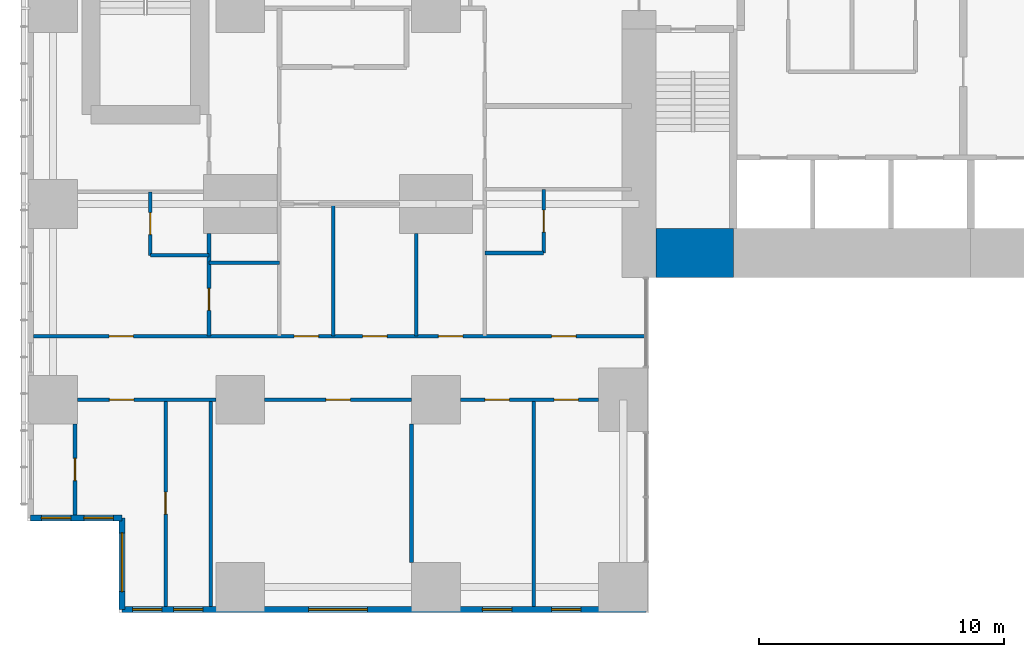
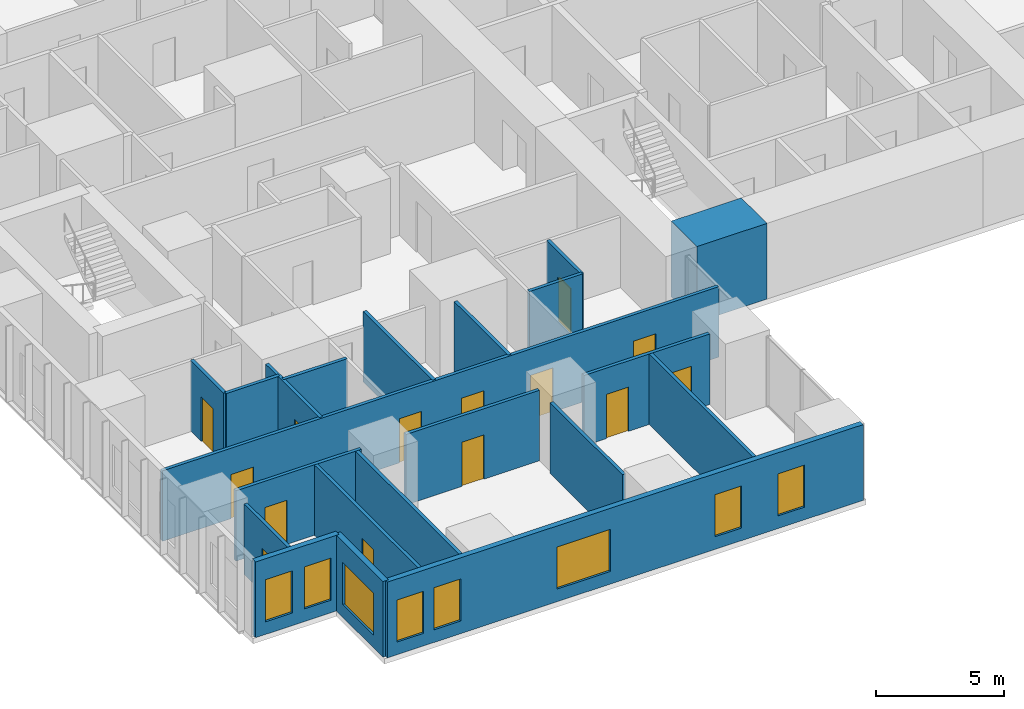
# One storey, part 12 of 20: 21 walls, 14 doors, 8 windows, 22 openings.
"""IFC4 building model written with IfcOpenShell, lengths in metres."""

from ifc_helpers import new_model, si_unit, direction, frame, frame_2d, origin, place, context, subcontext, project, spatial, rectangle, extrude, material, layer, layer_set, type_object, element, fill, save


model = new_model("IFC4")

# Units and contexts
model_context = context("Model", 3, precision=1e-05, world=origin(), true_north=direction((0.0, 1.0)))
body_context = subcontext(model_context, "Body", "Model", "MODEL_VIEW")
ifc_project = project(units=[si_unit("LENGTHUNIT", "METRE"), si_unit("AREAUNIT", "SQUARE_METRE"), si_unit("VOLUMEUNIT", "CUBIC_METRE"), si_unit("PLANEANGLEUNIT", "RADIAN"), si_unit("MASSUNIT", "GRAM", prefix="KILO")], contexts=[model_context])

# Site, building, storey
site_placement = place(None, origin())
site = spatial("IfcSite", under=ifc_project, at=site_placement, CompositionType="ELEMENT")
building_placement = place(site_placement, origin())
building = spatial("IfcBuilding", under=site, at=building_placement, Name="Cleftline Residences", CompositionType="ELEMENT")
storey_placement = place(building_placement, frame((0.0, 0.0, 83.60009765625)))
storey = spatial("IfcBuildingStorey", under=building, at=storey_placement, Name="L21", CompositionType="ELEMENT", Elevation=83.60009765625)

# Wall
ifc_material_1 = material(Name="Concrete B70", Category="concrete")
ifc_layer_1 = layer(ifc_material_1, 2.0)
ifc_layer_set_1 = layer_set([ifc_layer_1], Name="CORE WALL 2000")
wall_type_1 = type_object("IfcWallType", Name="CORE WALL 2000", PredefinedType="SHEAR", material=ifc_layer_set_1)
wall_1_placement = place(storey_placement, frame((25.0, 14.0, 0.0), z_axis=(0.0, 0.0, 1.0), x_axis=(1.0, 0.0, 0.0)))
element("IfcWall", 1, at=wall_1_placement, inside=storey, type_object=wall_type_1, Name="Core wall S1", PredefinedType="SHEAR", context=body_context, shape_type="SweptSolid", body=[
    extrude(rectangle(XDim=3.14990234375, YDim=2.0, at=frame_2d((1.574951171875, 0.0))), origin(), (0.0, 0.0, 1.0), 3.599853515625),
])

# Wall, openings, windows
ifc_material_2 = material(Name="Rendered reinforced concrete blockwork", Category="masonry")
ifc_layer_2 = layer(ifc_material_2, 0.25)
ifc_layer_set_2 = layer_set([ifc_layer_2], Name="EXTERNAL WALL 250")
wall_type_2 = type_object("IfcWallType", Name="EXTERNAL WALL 250", PredefinedType="SOLIDWALL", material=ifc_layer_set_2)
wall_2_placement = place(storey_placement, frame((-0.574951171875, 3.175048828125, 0.0), z_axis=(0.0, 0.0, 1.0), x_axis=(1.0, 0.0, 0.0)))
wall_2 = element("IfcWall", 2, at=wall_2_placement, inside=storey, type_object=wall_type_2, Name="External wall", PredefinedType="SOLIDWALL", context=body_context, shape_type="SweptSolid", body=[
    extrude(rectangle(XDim=3.75, YDim=0.25, at=frame_2d((1.875, 0.0))), origin(), (0.0, 0.0, 1.0), 3.599853515625),
])
opening_1_placement = place(wall_2_placement, frame((0.449951171875, 0.0, 0.60009765625)))
opening_1 = element("IfcOpeningElement", 3, at=opening_1_placement, cuts=wall_2, Name="Opening W8", PredefinedType="OPENING", context=body_context, shape_type="SweptSolid", body=[
    extrude(rectangle(XDim=1.199951171875, YDim=2.0, at=frame_2d((0.60009765625, 1.0))), frame((0.0, 0.135009765625, 0.0), z_axis=(0.0, -1.0, 0.0), x_axis=(1.0, 0.0, 0.0)), (0.0, 0.0, 1.0), 0.27001953125),
])
opening_2_placement = place(wall_2_placement, frame((2.1875, 0.0, 0.60009765625)))
opening_2 = element("IfcOpeningElement", 4, at=opening_2_placement, cuts=wall_2, Name="Opening W8", PredefinedType="OPENING", context=body_context, shape_type="SweptSolid", body=[
    extrude(rectangle(XDim=1.199951171875, YDim=2.0, at=frame_2d((0.60009765625, 1.0))), frame((0.0, 0.135009765625, 0.0), z_axis=(0.0, -1.0, 0.0), x_axis=(1.0, 0.0, 0.0)), (0.0, 0.0, 1.0), 0.27001953125),
])
ifc_material_3 = material(Name="Aluminium frame, clear double glazing", Category="aluminium")
window_type_1 = type_object("IfcWindowType", Name="WINDOW 1200X2000", PartitioningType="DOUBLE_PANEL_VERTICAL", PredefinedType="WINDOW", material=ifc_material_3)
window_1_placement = place(opening_1_placement, origin())
window_1 = element("IfcWindow", 5, at=window_1_placement, inside=storey, type_object=window_type_1, Name="Window", OverallHeight=2.0, OverallWidth=1.199951171875, PartitioningType="SINGLE_PANEL", PredefinedType="WINDOW", context=body_context, shape_type="SweptSolid", body=[
    extrude(rectangle(XDim=1.199951171875, YDim=2.0, at=frame_2d((0.60009765625, 1.0))), frame((0.0, 0.030029296875, 0.0), z_axis=(0.0, -1.0, 0.0), x_axis=(1.0, 0.0, 0.0)), (0.0, 0.0, 1.0), 0.06005859375),
])
fill(opening_1, window_1)
window_2_placement = place(opening_2_placement, origin())
window_2 = element("IfcWindow", 6, at=window_2_placement, inside=storey, type_object=window_type_1, Name="Window", OverallHeight=2.0, OverallWidth=1.199951171875, PartitioningType="SINGLE_PANEL", PredefinedType="WINDOW", context=body_context, shape_type="SweptSolid", body=[
    extrude(rectangle(XDim=1.199951171875, YDim=2.0, at=frame_2d((0.60009765625, 1.0))), frame((0.0, 0.030029296875, 0.0), z_axis=(0.0, -1.0, 0.0), x_axis=(1.0, 0.0, 0.0)), (0.0, 0.0, 1.0), 0.06005859375),
])
fill(opening_2, window_2)

# Wall, opening, window
wall_3_placement = place(storey_placement, frame((3.175048828125, 3.175048828125, 0.0), z_axis=(0.0, 0.0, 1.0), x_axis=(0.0, -1.0, 0.0)))
wall_3 = element("IfcWall", 7, at=wall_3_placement, inside=storey, type_object=wall_type_2, Name="External wall", PredefinedType="SOLIDWALL", context=body_context, shape_type="SweptSolid", body=[
    extrude(rectangle(XDim=3.75, YDim=0.25, at=frame_2d((1.875, 0.0))), origin(), (0.0, 0.0, 1.0), 3.599853515625),
])
opening_3_placement = place(wall_3_placement, frame((0.612548828125, 0.0, 0.60009765625)))
opening_3 = element("IfcOpeningElement", 8, at=opening_3_placement, cuts=wall_3, Name="Opening W6", PredefinedType="OPENING", context=body_context, shape_type="SweptSolid", body=[
    extrude(rectangle(XDim=2.39990234375, YDim=2.0, at=frame_2d((1.199951171875, 1.0))), frame((0.0, 0.135009765625, 0.0), z_axis=(0.0, -1.0, 0.0), x_axis=(1.0, 0.0, 0.0)), (0.0, 0.0, 1.0), 0.27001953125),
])
ifc_material_4 = material(Name="Aluminium frame, clear double glazing", Category="aluminium")
window_type_2 = type_object("IfcWindowType", Name="WINDOW 2400X2000", PartitioningType="DOUBLE_PANEL_VERTICAL", PredefinedType="WINDOW", material=ifc_material_4)
window_3_placement = place(opening_3_placement, origin())
window_3 = element("IfcWindow", 9, at=window_3_placement, inside=storey, type_object=window_type_2, Name="Window", OverallHeight=2.0, OverallWidth=2.39990234375, PartitioningType="SINGLE_PANEL", PredefinedType="WINDOW", context=body_context, shape_type="SweptSolid", body=[
    extrude(rectangle(XDim=2.39990234375, YDim=2.0, at=frame_2d((1.199951171875, 1.0))), frame((0.0, 0.030029296875, 0.0), z_axis=(0.0, -1.0, 0.0), x_axis=(1.0, 0.0, 0.0)), (0.0, 0.0, 1.0), 0.06005859375),
])
fill(opening_3, window_3)

# Wall, openings, windows
wall_4_placement = place(storey_placement, frame((3.175048828125, -0.574951171875, 0.0), z_axis=(0.0, 0.0, 1.0), x_axis=(1.0, 0.0, 0.0)))
wall_4 = element("IfcWall", 10, at=wall_4_placement, inside=storey, type_object=wall_type_2, Name="External wall", PredefinedType="SOLIDWALL", context=body_context, shape_type="SweptSolid", body=[
    extrude(rectangle(XDim=21.39990234375, YDim=0.25, at=frame_2d((10.699951171875, 0.0))), origin(), (0.0, 0.0, 1.0), 3.599853515625),
])
opening_4_placement = place(wall_4_placement, frame((0.425048828125, 0.0, 0.60009765625)))
opening_4 = element("IfcOpeningElement", 11, at=opening_4_placement, cuts=wall_4, Name="Opening W8", PredefinedType="OPENING", context=body_context, shape_type="SweptSolid", body=[
    extrude(rectangle(XDim=1.199951171875, YDim=2.0, at=frame_2d((0.60009765625, 1.0))), frame((0.0, 0.135009765625, 0.0), z_axis=(0.0, -1.0, 0.0), x_axis=(1.0, 0.0, 0.0)), (0.0, 0.0, 1.0), 0.27001953125),
])
opening_5_placement = place(wall_4_placement, frame((2.10009765625, 0.0, 0.60009765625)))
opening_5 = element("IfcOpeningElement", 12, at=opening_5_placement, cuts=wall_4, Name="Opening W8", PredefinedType="OPENING", context=body_context, shape_type="SweptSolid", body=[
    extrude(rectangle(XDim=1.199951171875, YDim=2.0, at=frame_2d((0.60009765625, 1.0))), frame((0.0, 0.135009765625, 0.0), z_axis=(0.0, -1.0, 0.0), x_axis=(1.0, 0.0, 0.0)), (0.0, 0.0, 1.0), 0.27001953125),
])
opening_6_placement = place(wall_4_placement, frame((7.625, 0.0, 0.60009765625)))
opening_6 = element("IfcOpeningElement", 13, at=opening_6_placement, cuts=wall_4, Name="Opening W6", PredefinedType="OPENING", context=body_context, shape_type="SweptSolid", body=[
    extrude(rectangle(XDim=2.39990234375, YDim=2.0, at=frame_2d((1.199951171875, 1.0))), frame((0.0, 0.135009765625, 0.0), z_axis=(0.0, -1.0, 0.0), x_axis=(1.0, 0.0, 0.0)), (0.0, 0.0, 1.0), 0.27001953125),
])
opening_7_placement = place(wall_4_placement, frame((14.72509765625, 0.0, 0.60009765625)))
opening_7 = element("IfcOpeningElement", 14, at=opening_7_placement, cuts=wall_4, Name="Opening W8", PredefinedType="OPENING", context=body_context, shape_type="SweptSolid", body=[
    extrude(rectangle(XDim=1.199951171875, YDim=2.0, at=frame_2d((0.60009765625, 1.0))), frame((0.0, 0.135009765625, 0.0), z_axis=(0.0, -1.0, 0.0), x_axis=(1.0, 0.0, 0.0)), (0.0, 0.0, 1.0), 0.27001953125),
])
opening_8_placement = place(wall_4_placement, frame((17.550048828125, 0.0, 0.60009765625)))
opening_8 = element("IfcOpeningElement", 15, at=opening_8_placement, cuts=wall_4, Name="Opening W8", PredefinedType="OPENING", context=body_context, shape_type="SweptSolid", body=[
    extrude(rectangle(XDim=1.199951171875, YDim=2.0, at=frame_2d((0.60009765625, 1.0))), frame((0.0, 0.135009765625, 0.0), z_axis=(0.0, -1.0, 0.0), x_axis=(1.0, 0.0, 0.0)), (0.0, 0.0, 1.0), 0.27001953125),
])
window_4_placement = place(opening_4_placement, origin())
window_4 = element("IfcWindow", 16, at=window_4_placement, inside=storey, type_object=window_type_1, Name="Window", OverallHeight=2.0, OverallWidth=1.199951171875, PartitioningType="SINGLE_PANEL", PredefinedType="WINDOW", context=body_context, shape_type="SweptSolid", body=[
    extrude(rectangle(XDim=1.199951171875, YDim=2.0, at=frame_2d((0.60009765625, 1.0))), frame((0.0, 0.030029296875, 0.0), z_axis=(0.0, -1.0, 0.0), x_axis=(1.0, 0.0, 0.0)), (0.0, 0.0, 1.0), 0.06005859375),
])
fill(opening_4, window_4)
window_5_placement = place(opening_5_placement, origin())
window_5 = element("IfcWindow", 17, at=window_5_placement, inside=storey, type_object=window_type_1, Name="Window", OverallHeight=2.0, OverallWidth=1.199951171875, PartitioningType="SINGLE_PANEL", PredefinedType="WINDOW", context=body_context, shape_type="SweptSolid", body=[
    extrude(rectangle(XDim=1.199951171875, YDim=2.0, at=frame_2d((0.60009765625, 1.0))), frame((0.0, 0.030029296875, 0.0), z_axis=(0.0, -1.0, 0.0), x_axis=(1.0, 0.0, 0.0)), (0.0, 0.0, 1.0), 0.06005859375),
])
fill(opening_5, window_5)
window_6_placement = place(opening_7_placement, origin())
window_6 = element("IfcWindow", 18, at=window_6_placement, inside=storey, type_object=window_type_1, Name="Window", OverallHeight=2.0, OverallWidth=1.199951171875, PartitioningType="SINGLE_PANEL", PredefinedType="WINDOW", context=body_context, shape_type="SweptSolid", body=[
    extrude(rectangle(XDim=1.199951171875, YDim=2.0, at=frame_2d((0.60009765625, 1.0))), frame((0.0, 0.030029296875, 0.0), z_axis=(0.0, -1.0, 0.0), x_axis=(1.0, 0.0, 0.0)), (0.0, 0.0, 1.0), 0.06005859375),
])
fill(opening_7, window_6)
window_7_placement = place(opening_8_placement, origin())
window_7 = element("IfcWindow", 19, at=window_7_placement, inside=storey, type_object=window_type_1, Name="Window", OverallHeight=2.0, OverallWidth=1.199951171875, PartitioningType="SINGLE_PANEL", PredefinedType="WINDOW", context=body_context, shape_type="SweptSolid", body=[
    extrude(rectangle(XDim=1.199951171875, YDim=2.0, at=frame_2d((0.60009765625, 1.0))), frame((0.0, 0.030029296875, 0.0), z_axis=(0.0, -1.0, 0.0), x_axis=(1.0, 0.0, 0.0)), (0.0, 0.0, 1.0), 0.06005859375),
])
fill(opening_8, window_7)
window_8_placement = place(opening_6_placement, origin())
window_8 = element("IfcWindow", 20, at=window_8_placement, inside=storey, type_object=window_type_2, Name="Window", OverallHeight=2.0, OverallWidth=2.39990234375, PartitioningType="SINGLE_PANEL", PredefinedType="WINDOW", context=body_context, shape_type="SweptSolid", body=[
    extrude(rectangle(XDim=2.39990234375, YDim=2.0, at=frame_2d((1.199951171875, 1.0))), frame((0.0, 0.030029296875, 0.0), z_axis=(0.0, -1.0, 0.0), x_axis=(1.0, 0.0, 0.0)), (0.0, 0.0, 1.0), 0.06005859375),
])
fill(opening_6, window_8)

# Wall, opening, door
ifc_material_5 = material(Name="Gypsum board on steel studs", Category="steel")
ifc_layer_3 = layer(ifc_material_5, 0.14990234375)
ifc_layer_set_3 = layer_set([ifc_layer_3], Name="PARTITION 150")
wall_type_3 = type_object("IfcWallType", Name="PARTITION 150", PredefinedType="PARTITIONING", material=ifc_layer_set_3)
wall_5_placement = place(storey_placement, frame((1.35009765625, 8.0, 0.0), z_axis=(0.0, 0.0, 1.0), x_axis=(1.0, 0.0, 0.0)))
wall_5 = element("IfcWall", 21, at=wall_5_placement, inside=storey, type_object=wall_type_3, Name="Partition", PredefinedType="PARTITIONING", context=body_context, shape_type="SweptSolid", body=[
    extrude(rectangle(XDim=5.64990234375, YDim=0.14990234375, at=frame_2d((2.824951171875, 0.0))), origin(), (0.0, 0.0, 1.0), 3.349853515625),
])
opening_9_placement = place(wall_5_placement, frame((1.300048828125, 0.0, 0.0)))
opening_9 = element("IfcOpeningElement", 22, at=opening_9_placement, cuts=wall_5, Name="Opening D2", PredefinedType="OPENING", context=body_context, shape_type="SweptSolid", body=[
    extrude(rectangle(XDim=1.0, YDim=2.10009765625, at=frame_2d((0.5, 1.050048828125))), frame((0.0, 0.0849609375, 0.0), z_axis=(0.0, -1.0, 0.0), x_axis=(1.0, 0.0, 0.0)), (0.0, 0.0, 1.0), 0.169921875),
])
ifc_material_6 = material(Name="Timber veneer on solid core", Category="wood")
door_type_1 = type_object("IfcDoorType", Name="DOOR 1000X2100", OperationType="SINGLE_SWING_LEFT", PredefinedType="DOOR", material=ifc_material_6)
door_1_placement = place(opening_9_placement, origin())
door_1 = element("IfcDoor", 23, at=door_1_placement, inside=storey, type_object=door_type_1, Name="Door to bedroom 2", OperationType="SINGLE_SWING_RIGHT", OverallHeight=2.10009765625, OverallWidth=1.0, PredefinedType="DOOR", context=body_context, shape_type="SweptSolid", body=[
    extrude(rectangle(XDim=1.0, YDim=2.10009765625, at=frame_2d((0.5, 1.050048828125))), frame((0.0, 0.02490234375, 0.0), z_axis=(0.0, -1.0, 0.0), x_axis=(1.0, 0.0, 0.0)), (0.0, 0.0, 1.0), 0.050048828125),
])
fill(opening_9, door_1)

wall_6_placement = place(storey_placement, frame((9.0, 8.0, 0.0), z_axis=(0.0, 0.0, 1.0), x_axis=(1.0, 0.0, 0.0)))
wall_6 = element("IfcWall", 24, at=wall_6_placement, inside=storey, type_object=wall_type_3, Name="Partition", PredefinedType="PARTITIONING", context=body_context, shape_type="SweptSolid", body=[
    extrude(rectangle(XDim=6.0, YDim=0.14990234375, at=frame_2d((3.0, 0.0))), origin(), (0.0, 0.0, 1.0), 3.349853515625),
])
opening_10_placement = place(wall_6_placement, frame((2.5, 0.0, 0.0)))
opening_10 = element("IfcOpeningElement", 25, at=opening_10_placement, cuts=wall_6, Name="Opening D2", PredefinedType="OPENING", context=body_context, shape_type="SweptSolid", body=[
    extrude(rectangle(XDim=1.0, YDim=2.10009765625, at=frame_2d((0.5, 1.050048828125))), frame((0.0, 0.0849609375, 0.0), z_axis=(0.0, -1.0, 0.0), x_axis=(1.0, 0.0, 0.0)), (0.0, 0.0, 1.0), 0.169921875),
])
door_2_placement = place(opening_10_placement, origin())
door_2 = element("IfcDoor", 26, at=door_2_placement, inside=storey, type_object=door_type_1, Name="Door to living room", OperationType="SINGLE_SWING_LEFT", OverallHeight=2.10009765625, OverallWidth=1.0, PredefinedType="DOOR", context=body_context, shape_type="SweptSolid", body=[
    extrude(rectangle(XDim=1.0, YDim=2.10009765625, at=frame_2d((0.5, 1.050048828125))), frame((0.0, 0.02490234375, 0.0), z_axis=(0.0, -1.0, 0.0), x_axis=(1.0, 0.0, 0.0)), (0.0, 0.0, 1.0), 0.050048828125),
])
fill(opening_10, door_2)

# Wall, openings, doors
wall_7_placement = place(storey_placement, frame((17.0, 8.0, 0.0), z_axis=(0.0, 0.0, 1.0), x_axis=(1.0, 0.0, 0.0)))
wall_7 = element("IfcWall", 27, at=wall_7_placement, inside=storey, type_object=wall_type_3, Name="Partition", PredefinedType="PARTITIONING", context=body_context, shape_type="SweptSolid", body=[
    extrude(rectangle(XDim=5.64990234375, YDim=0.14990234375, at=frame_2d((2.824951171875, 0.0))), origin(), (0.0, 0.0, 1.0), 3.349853515625),
])
opening_11_placement = place(wall_7_placement, frame((1.0, 0.0, 0.0)))
opening_11 = element("IfcOpeningElement", 28, at=opening_11_placement, cuts=wall_7, Name="Opening D2", PredefinedType="OPENING", context=body_context, shape_type="SweptSolid", body=[
    extrude(rectangle(XDim=1.0, YDim=2.10009765625, at=frame_2d((0.5, 1.050048828125))), frame((0.0, 0.0849609375, 0.0), z_axis=(0.0, -1.0, 0.0), x_axis=(1.0, 0.0, 0.0)), (0.0, 0.0, 1.0), 0.169921875),
])
opening_12_placement = place(wall_7_placement, frame((3.824951171875, 0.0, 0.0)))
opening_12 = element("IfcOpeningElement", 29, at=opening_12_placement, cuts=wall_7, Name="Opening D2", PredefinedType="OPENING", context=body_context, shape_type="SweptSolid", body=[
    extrude(rectangle(XDim=1.0, YDim=2.10009765625, at=frame_2d((0.5, 1.050048828125))), frame((0.0, 0.0849609375, 0.0), z_axis=(0.0, -1.0, 0.0), x_axis=(1.0, 0.0, 0.0)), (0.0, 0.0, 1.0), 0.169921875),
])
door_3_placement = place(opening_11_placement, origin())
door_3 = element("IfcDoor", 30, at=door_3_placement, inside=storey, type_object=door_type_1, Name="Door to dining room", OperationType="SINGLE_SWING_RIGHT", OverallHeight=2.10009765625, OverallWidth=1.0, PredefinedType="DOOR", context=body_context, shape_type="SweptSolid", body=[
    extrude(rectangle(XDim=1.0, YDim=2.10009765625, at=frame_2d((0.5, 1.050048828125))), frame((0.0, 0.02490234375, 0.0), z_axis=(0.0, -1.0, 0.0), x_axis=(1.0, 0.0, 0.0)), (0.0, 0.0, 1.0), 0.050048828125),
])
fill(opening_11, door_3)
door_4_placement = place(opening_12_placement, origin())
door_4 = element("IfcDoor", 31, at=door_4_placement, inside=storey, type_object=door_type_1, Name="Door to show kitchen", OperationType="SINGLE_SWING_LEFT", OverallHeight=2.10009765625, OverallWidth=1.0, PredefinedType="DOOR", context=body_context, shape_type="SweptSolid", body=[
    extrude(rectangle(XDim=1.0, YDim=2.10009765625, at=frame_2d((0.5, 1.050048828125))), frame((0.0, 0.02490234375, 0.0), z_axis=(0.0, -1.0, 0.0), x_axis=(1.0, 0.0, 0.0)), (0.0, 0.0, 1.0), 0.050048828125),
])
fill(opening_12, door_4)

wall_8_placement = place(storey_placement, frame((-0.449951171875, 10.60009765625, 0.0), z_axis=(0.0, 0.0, 1.0), x_axis=(1.0, 0.0, 0.0)))
wall_8 = element("IfcWall", 32, at=wall_8_placement, inside=storey, type_object=wall_type_3, Name="Partition", PredefinedType="PARTITIONING", context=body_context, shape_type="SweptSolid", body=[
    extrude(rectangle(XDim=25.010986328125, YDim=0.14990234375, at=frame_2d((12.50537109375, 0.0))), origin(), (0.0, 0.0, 1.0), 3.349853515625),
])
opening_13_placement = place(wall_8_placement, frame((10.64990234375, 0.0, 0.0)))
opening_13 = element("IfcOpeningElement", 33, at=opening_13_placement, cuts=wall_8, Name="Opening D2", PredefinedType="OPENING", context=body_context, shape_type="SweptSolid", body=[
    extrude(rectangle(XDim=1.0, YDim=2.10009765625, at=frame_2d((0.5, 1.050048828125))), frame((0.0, 0.0849609375, 0.0), z_axis=(0.0, -1.0, 0.0), x_axis=(1.0, 0.0, 0.0)), (0.0, 0.0, 1.0), 0.169921875),
])
opening_14_placement = place(wall_8_placement, frame((3.08740234375, 0.0, 0.0)))
opening_14 = element("IfcOpeningElement", 34, at=opening_14_placement, cuts=wall_8, Name="Opening D2", PredefinedType="OPENING", context=body_context, shape_type="SweptSolid", body=[
    extrude(rectangle(XDim=1.0, YDim=2.10009765625, at=frame_2d((0.5, 1.050048828125))), frame((0.0, 0.0849609375, 0.0), z_axis=(0.0, -1.0, 0.0), x_axis=(1.0, 0.0, 0.0)), (0.0, 0.0, 1.0), 0.169921875),
])
opening_15_placement = place(wall_8_placement, frame((13.449951171875, 0.0, 0.0)))
opening_15 = element("IfcOpeningElement", 35, at=opening_15_placement, cuts=wall_8, Name="Opening D2", PredefinedType="OPENING", context=body_context, shape_type="SweptSolid", body=[
    extrude(rectangle(XDim=1.0, YDim=2.10009765625, at=frame_2d((0.5, 1.050048828125))), frame((0.0, 0.0849609375, 0.0), z_axis=(0.0, -1.0, 0.0), x_axis=(1.0, 0.0, 0.0)), (0.0, 0.0, 1.0), 0.169921875),
])
opening_16_placement = place(wall_8_placement, frame((16.550048828125, 0.0, 0.0)))
opening_16 = element("IfcOpeningElement", 36, at=opening_16_placement, cuts=wall_8, Name="Opening D2", PredefinedType="OPENING", context=body_context, shape_type="SweptSolid", body=[
    extrude(rectangle(XDim=1.0, YDim=2.10009765625, at=frame_2d((0.5, 1.050048828125))), frame((0.0, 0.0849609375, 0.0), z_axis=(0.0, -1.0, 0.0), x_axis=(1.0, 0.0, 0.0)), (0.0, 0.0, 1.0), 0.169921875),
])
opening_17_placement = place(wall_8_placement, frame((21.175048828125, 0.0, 0.0)))
opening_17 = element("IfcOpeningElement", 37, at=opening_17_placement, cuts=wall_8, Name="Opening D2", PredefinedType="OPENING", context=body_context, shape_type="SweptSolid", body=[
    extrude(rectangle(XDim=1.0, YDim=2.10009765625, at=frame_2d((0.5, 1.050048828125))), frame((0.0, 0.0849609375, 0.0), z_axis=(0.0, -1.0, 0.0), x_axis=(1.0, 0.0, 0.0)), (0.0, 0.0, 1.0), 0.169921875),
])
door_5_placement = place(opening_13_placement, origin())
door_5 = element("IfcDoor", 38, at=door_5_placement, inside=storey, type_object=door_type_1, Name="Door to residence hall", OperationType="SINGLE_SWING_RIGHT", OverallHeight=2.10009765625, OverallWidth=1.0, PredefinedType="DOOR", context=body_context, shape_type="SweptSolid", body=[
    extrude(rectangle(XDim=1.0, YDim=2.10009765625, at=frame_2d((0.5, 1.050048828125))), frame((0.0, 0.02490234375, 0.0), z_axis=(0.0, -1.0, 0.0), x_axis=(1.0, 0.0, 0.0)), (0.0, 0.0, 1.0), 0.050048828125),
])
fill(opening_13, door_5)
door_6_placement = place(opening_14_placement, origin())
door_6 = element("IfcDoor", 39, at=door_6_placement, inside=storey, type_object=door_type_1, Name="Door to master bedroom", OperationType="SINGLE_SWING_RIGHT", OverallHeight=2.10009765625, OverallWidth=1.0, PredefinedType="DOOR", context=body_context, shape_type="SweptSolid", body=[
    extrude(rectangle(XDim=1.0, YDim=2.10009765625, at=frame_2d((0.5, 1.050048828125))), frame((0.0, 0.02490234375, 0.0), z_axis=(0.0, -1.0, 0.0), x_axis=(1.0, 0.0, 0.0)), (0.0, 0.0, 1.0), 0.050048828125),
])
fill(opening_14, door_6)
door_7_placement = place(opening_15_placement, origin())
door_7 = element("IfcDoor", 40, at=door_7_placement, inside=storey, type_object=door_type_1, Name="Door to family room", OperationType="SINGLE_SWING_LEFT", OverallHeight=2.10009765625, OverallWidth=1.0, PredefinedType="DOOR", context=body_context, shape_type="SweptSolid", body=[
    extrude(rectangle(XDim=1.0, YDim=2.10009765625, at=frame_2d((0.5, 1.050048828125))), frame((0.0, 0.02490234375, 0.0), z_axis=(0.0, -1.0, 0.0), x_axis=(1.0, 0.0, 0.0)), (0.0, 0.0, 1.0), 0.050048828125),
])
fill(opening_15, door_7)
door_8_placement = place(opening_16_placement, origin())
door_8 = element("IfcDoor", 41, at=door_8_placement, inside=storey, type_object=door_type_1, Name="Door to wet kitchen", OperationType="SINGLE_SWING_LEFT", OverallHeight=2.10009765625, OverallWidth=1.0, PredefinedType="DOOR", context=body_context, shape_type="SweptSolid", body=[
    extrude(rectangle(XDim=1.0, YDim=2.10009765625, at=frame_2d((0.5, 1.050048828125))), frame((0.0, 0.02490234375, 0.0), z_axis=(0.0, -1.0, 0.0), x_axis=(1.0, 0.0, 0.0)), (0.0, 0.0, 1.0), 0.050048828125),
])
fill(opening_16, door_8)
door_9_placement = place(opening_17_placement, origin())
door_9 = element("IfcDoor", 42, at=door_9_placement, inside=storey, type_object=door_type_1, Name="Door to bedroom 3", OperationType="SINGLE_SWING_LEFT", OverallHeight=2.10009765625, OverallWidth=1.0, PredefinedType="DOOR", context=body_context, shape_type="SweptSolid", body=[
    extrude(rectangle(XDim=1.0, YDim=2.10009765625, at=frame_2d((0.5, 1.050048828125))), frame((0.0, 0.02490234375, 0.0), z_axis=(0.0, -1.0, 0.0), x_axis=(1.0, 0.0, 0.0)), (0.0, 0.0, 1.0), 0.050048828125),
])
fill(opening_17, door_9)

# Walls
wall_9_placement = place(storey_placement, frame((6.72509765625, 13.60009765625, 0.0), z_axis=(0.0, 0.0, 1.0), x_axis=(1.0, 0.0, 0.0)))
element("IfcWall", 43, at=wall_9_placement, inside=storey, type_object=wall_type_3, Name="Partition", PredefinedType="PARTITIONING", context=body_context, shape_type="SweptSolid", body=[
    extrude(rectangle(XDim=2.875, YDim=0.14990234375, at=frame_2d((1.4375, 0.0))), origin(), (0.0, 0.0, 1.0), 3.349853515625),
])
wall_10_placement = place(storey_placement, frame((4.324951171875, 13.89990234375, 0.0), z_axis=(0.0, 0.0, 1.0), x_axis=(1.0, 0.0, 0.0)))
element("IfcWall", 44, at=wall_10_placement, inside=storey, type_object=wall_type_3, Name="Partition", PredefinedType="PARTITIONING", context=body_context, shape_type="SweptSolid", body=[
    extrude(rectangle(XDim=2.400146484375, YDim=0.14990234375, at=frame_2d((1.2001953125, 0.0))), origin(), (0.0, 0.0, 1.0), 3.349853515625),
])
wall_11_placement = place(storey_placement, frame((18.0, 14.0, 0.0), z_axis=(0.0, 0.0, 1.0), x_axis=(1.0, 0.0, 0.0)))
element("IfcWall", 45, at=wall_11_placement, inside=storey, type_object=wall_type_3, Name="Partition", PredefinedType="PARTITIONING", context=body_context, shape_type="SweptSolid", body=[
    extrude(rectangle(XDim=2.39990234375, YDim=0.14990234375, at=frame_2d((1.199951171875, 0.0))), origin(), (0.0, 0.0, 1.0), 3.349853515625),
])

# Wall, opening, door
wall_12_placement = place(storey_placement, frame((1.25, 3.300048828125, 0.0), z_axis=(0.0, 0.0, 1.0), x_axis=(0.0, 1.0, 0.0)))
wall_12 = element("IfcWall", 46, at=wall_12_placement, inside=storey, type_object=wall_type_3, Name="Partition", PredefinedType="PARTITIONING", context=body_context, shape_type="SweptSolid", body=[
    extrude(rectangle(XDim=3.699951171875, YDim=0.14990234375, at=frame_2d((1.85009765625, 0.0))), origin(), (0.0, 0.0, 1.0), 3.349853515625),
])
opening_18_placement = place(wall_12_placement, frame((1.39990234375, 0.0, 0.0)))
opening_18 = element("IfcOpeningElement", 47, at=opening_18_placement, cuts=wall_12, Name="Opening D1", PredefinedType="OPENING", context=body_context, shape_type="SweptSolid", body=[
    extrude(rectangle(XDim=0.89990234375, YDim=2.10009765625, at=frame_2d((0.449951171875, 1.050048828125))), frame((0.0, 0.0849609375, 0.0), z_axis=(0.0, -1.0, 0.0), x_axis=(1.0, 0.0, 0.0)), (0.0, 0.0, 1.0), 0.169921875),
])
ifc_material_7 = material(Name="Timber veneer on solid core", Category="wood")
door_type_2 = type_object("IfcDoorType", Name="DOOR 900X2100", OperationType="SINGLE_SWING_LEFT", PredefinedType="DOOR", material=ifc_material_7)
door_10_placement = place(opening_18_placement, origin())
door_10 = element("IfcDoor", 48, at=door_10_placement, inside=storey, type_object=door_type_2, Name="Door to walk-in wardrobe", OperationType="SINGLE_SWING_LEFT", OverallHeight=2.10009765625, OverallWidth=0.89990234375, PredefinedType="DOOR", context=body_context, shape_type="SweptSolid", body=[
    extrude(rectangle(XDim=0.89990234375, YDim=2.10009765625, at=frame_2d((0.449951171875, 1.050048828125))), frame((0.0, 0.02490234375, 0.0), z_axis=(0.0, -1.0, 0.0), x_axis=(1.0, 0.0, 0.0)), (0.0, 0.0, 1.0), 0.050048828125),
])
fill(opening_18, door_10)

wall_13_placement = place(storey_placement, frame((4.324951171875, 13.89990234375, 0.0), z_axis=(0.0, 0.0, 1.0), x_axis=(0.0, 1.0, 0.0)))
wall_13 = element("IfcWall", 49, at=wall_13_placement, inside=storey, type_object=wall_type_3, Name="Partition", PredefinedType="PARTITIONING", context=body_context, shape_type="SweptSolid", body=[
    extrude(rectangle(XDim=2.60009765625, YDim=0.14990234375, at=frame_2d((1.300048828125, 0.0))), origin(), (0.0, 0.0, 1.0), 3.349853515625),
])
opening_19_placement = place(wall_13_placement, frame((0.85009765625, 0.0, 0.0)))
opening_19 = element("IfcOpeningElement", 50, at=opening_19_placement, cuts=wall_13, Name="Opening D1", PredefinedType="OPENING", context=body_context, shape_type="SweptSolid", body=[
    extrude(rectangle(XDim=0.89990234375, YDim=2.10009765625, at=frame_2d((0.449951171875, 1.050048828125))), frame((0.0, 0.0849609375, 0.0), z_axis=(0.0, -1.0, 0.0), x_axis=(1.0, 0.0, 0.0)), (0.0, 0.0, 1.0), 0.169921875),
])
door_11_placement = place(opening_19_placement, origin())
door_11 = element("IfcDoor", 51, at=door_11_placement, inside=storey, type_object=door_type_2, Name="Door to master bathroom", OperationType="SINGLE_SWING_LEFT", OverallHeight=2.10009765625, OverallWidth=0.89990234375, PredefinedType="DOOR", context=body_context, shape_type="SweptSolid", body=[
    extrude(rectangle(XDim=0.89990234375, YDim=2.10009765625, at=frame_2d((0.449951171875, 1.050048828125))), frame((0.0, 0.02490234375, 0.0), z_axis=(0.0, -1.0, 0.0), x_axis=(1.0, 0.0, 0.0)), (0.0, 0.0, 1.0), 0.050048828125),
])
fill(opening_19, door_11)

wall_14_placement = place(storey_placement, frame((4.949951171875, -0.449951171875, 0.0), z_axis=(0.0, 0.0, 1.0), x_axis=(0.0, 1.0, 0.0)))
wall_14 = element("IfcWall", 52, at=wall_14_placement, inside=storey, type_object=wall_type_3, Name="Partition", PredefinedType="PARTITIONING", context=body_context, shape_type="SweptSolid", body=[
    extrude(rectangle(XDim=8.449951171875, YDim=0.14990234375, at=frame_2d((4.22509765625, 0.0))), origin(), (0.0, 0.0, 1.0), 3.349853515625),
])
opening_20_placement = place(wall_14_placement, frame((3.77490234375, 0.0, 0.0)))
opening_20 = element("IfcOpeningElement", 53, at=opening_20_placement, cuts=wall_14, Name="Opening D1", PredefinedType="OPENING", context=body_context, shape_type="SweptSolid", body=[
    extrude(rectangle(XDim=0.89990234375, YDim=2.10009765625, at=frame_2d((0.449951171875, 1.050048828125))), frame((0.0, 0.0849609375, 0.0), z_axis=(0.0, -1.0, 0.0), x_axis=(1.0, 0.0, 0.0)), (0.0, 0.0, 1.0), 0.169921875),
])
door_12_placement = place(opening_20_placement, origin())
door_12 = element("IfcDoor", 54, at=door_12_placement, inside=storey, type_object=door_type_2, Name="Door to en-suite bathroom 2", OperationType="SINGLE_SWING_LEFT", OverallHeight=2.10009765625, OverallWidth=0.89990234375, PredefinedType="DOOR", context=body_context, shape_type="SweptSolid", body=[
    extrude(rectangle(XDim=0.89990234375, YDim=2.10009765625, at=frame_2d((0.449951171875, 1.050048828125))), frame((0.0, 0.02490234375, 0.0), z_axis=(0.0, -1.0, 0.0), x_axis=(1.0, 0.0, 0.0)), (0.0, 0.0, 1.0), 0.050048828125),
])
fill(opening_20, door_12)

wall_15_placement = place(storey_placement, frame((6.72509765625, 10.60009765625, 0.0), z_axis=(0.0, 0.0, 1.0), x_axis=(0.0, 1.0, 0.0)))
wall_15 = element("IfcWall", 55, at=wall_15_placement, inside=storey, type_object=wall_type_3, Name="Partition", PredefinedType="PARTITIONING", context=body_context, shape_type="SweptSolid", body=[
    extrude(rectangle(XDim=4.199951171875, YDim=0.14990234375, at=frame_2d((2.10009765625, 0.0))), origin(), (0.0, 0.0, 1.0), 3.349853515625),
])
opening_21_placement = place(wall_15_placement, frame((1.050048828125, 0.0, 0.0)))
opening_21 = element("IfcOpeningElement", 56, at=opening_21_placement, cuts=wall_15, Name="Opening D1", PredefinedType="OPENING", context=body_context, shape_type="SweptSolid", body=[
    extrude(rectangle(XDim=0.89990234375, YDim=2.10009765625, at=frame_2d((0.449951171875, 1.050048828125))), frame((0.0, 0.0849609375, 0.0), z_axis=(0.0, -1.0, 0.0), x_axis=(1.0, 0.0, 0.0)), (0.0, 0.0, 1.0), 0.169921875),
])
door_13_placement = place(opening_21_placement, origin())
door_13 = element("IfcDoor", 57, at=door_13_placement, inside=storey, type_object=door_type_2, Name="Door to master dressing room", OperationType="SINGLE_SWING_RIGHT", OverallHeight=2.10009765625, OverallWidth=0.89990234375, PredefinedType="DOOR", context=body_context, shape_type="SweptSolid", body=[
    extrude(rectangle(XDim=0.89990234375, YDim=2.10009765625, at=frame_2d((0.449951171875, 1.050048828125))), frame((0.0, 0.02490234375, 0.0), z_axis=(0.0, -1.0, 0.0), x_axis=(1.0, 0.0, 0.0)), (0.0, 0.0, 1.0), 0.050048828125),
])
fill(opening_21, door_13)

# Walls
wall_16_placement = place(storey_placement, frame((6.800048828125, -0.449951171875, 0.0), z_axis=(0.0, 0.0, 1.0), x_axis=(0.0, 1.0, 0.0)))
element("IfcWall", 58, at=wall_16_placement, inside=storey, type_object=wall_type_3, Name="Partition", PredefinedType="PARTITIONING", context=body_context, shape_type="SweptSolid", body=[
    extrude(rectangle(XDim=8.449951171875, YDim=0.14990234375, at=frame_2d((4.22509765625, 0.0))), origin(), (0.0, 0.0, 1.0), 3.349853515625),
])
wall_17_placement = place(storey_placement, frame((11.800048828125, 10.60009765625, 0.0), z_axis=(0.0, 0.0, 1.0), x_axis=(0.0, 1.0, 0.0)))
element("IfcWall", 59, at=wall_17_placement, inside=storey, type_object=wall_type_3, Name="Partition", PredefinedType="PARTITIONING", context=body_context, shape_type="SweptSolid", body=[
    extrude(rectangle(XDim=5.39990234375, YDim=0.14990234375, at=frame_2d((2.699951171875, 0.0))), origin(), (0.0, 0.0, 1.0), 3.349853515625),
])
wall_18_placement = place(storey_placement, frame((15.0, 1.35009765625, 0.0), z_axis=(0.0, 0.0, 1.0), x_axis=(0.0, 1.0, 0.0)))
element("IfcWall", 60, at=wall_18_placement, inside=storey, type_object=wall_type_3, Name="Partition", PredefinedType="PARTITIONING", context=body_context, shape_type="SweptSolid", body=[
    extrude(rectangle(XDim=5.64990234375, YDim=0.14990234375, at=frame_2d((2.824951171875, 0.0))), origin(), (0.0, 0.0, 1.0), 3.349853515625),
])
wall_19_placement = place(storey_placement, frame((15.199951171875, 10.60009765625, 0.0), z_axis=(0.0, 0.0, 1.0), x_axis=(0.0, 1.0, 0.0)))
element("IfcWall", 61, at=wall_19_placement, inside=storey, type_object=wall_type_3, Name="Partition", PredefinedType="PARTITIONING", context=body_context, shape_type="SweptSolid", body=[
    extrude(rectangle(XDim=4.199951171875, YDim=0.14990234375, at=frame_2d((2.10009765625, 0.0))), origin(), (0.0, 0.0, 1.0), 3.349853515625),
])
wall_20_placement = place(storey_placement, frame((20.0, -0.449951171875, 0.0), z_axis=(0.0, 0.0, 1.0), x_axis=(0.0, 1.0, 0.0)))
element("IfcWall", 62, at=wall_20_placement, inside=storey, type_object=wall_type_3, Name="Partition", PredefinedType="PARTITIONING", context=body_context, shape_type="SweptSolid", body=[
    extrude(rectangle(XDim=8.449951171875, YDim=0.14990234375, at=frame_2d((4.22509765625, 0.0))), origin(), (0.0, 0.0, 1.0), 3.349853515625),
])

# Wall, opening, door
wall_21_placement = place(storey_placement, frame((20.39990234375, 14.0, 0.0), z_axis=(0.0, 0.0, 1.0), x_axis=(0.0, 1.0, 0.0)))
wall_21 = element("IfcWall", 63, at=wall_21_placement, inside=storey, type_object=wall_type_3, Name="Partition", PredefinedType="PARTITIONING", context=body_context, shape_type="SweptSolid", body=[
    extrude(rectangle(XDim=2.60009765625, YDim=0.14990234375, at=frame_2d((1.300048828125, 0.0))), origin(), (0.0, 0.0, 1.0), 3.349853515625),
])
opening_22_placement = place(wall_21_placement, frame((0.85009765625, 0.0, 0.0)))
opening_22 = element("IfcOpeningElement", 64, at=opening_22_placement, cuts=wall_21, Name="Opening D1", PredefinedType="OPENING", context=body_context, shape_type="SweptSolid", body=[
    extrude(rectangle(XDim=0.89990234375, YDim=2.10009765625, at=frame_2d((0.449951171875, 1.050048828125))), frame((0.0, 0.0849609375, 0.0), z_axis=(0.0, -1.0, 0.0), x_axis=(1.0, 0.0, 0.0)), (0.0, 0.0, 1.0), 0.169921875),
])
door_14_placement = place(opening_22_placement, origin())
door_14 = element("IfcDoor", 65, at=door_14_placement, inside=storey, type_object=door_type_2, Name="Door to en-suite bathroom 3", OperationType="SINGLE_SWING_LEFT", OverallHeight=2.10009765625, OverallWidth=0.89990234375, PredefinedType="DOOR", context=body_context, shape_type="SweptSolid", body=[
    extrude(rectangle(XDim=0.89990234375, YDim=2.10009765625, at=frame_2d((0.449951171875, 1.050048828125))), frame((0.0, 0.02490234375, 0.0), z_axis=(0.0, -1.0, 0.0), x_axis=(1.0, 0.0, 0.0)), (0.0, 0.0, 1.0), 0.050048828125),
])
fill(opening_22, door_14)

save(model, "model.ifc")
